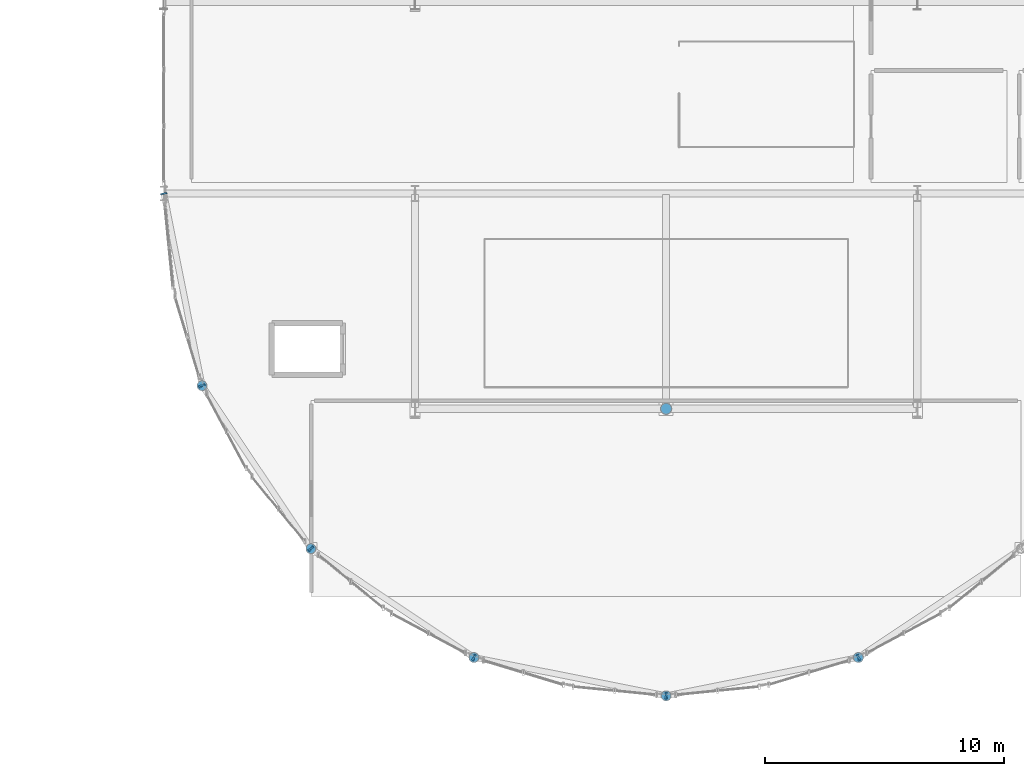
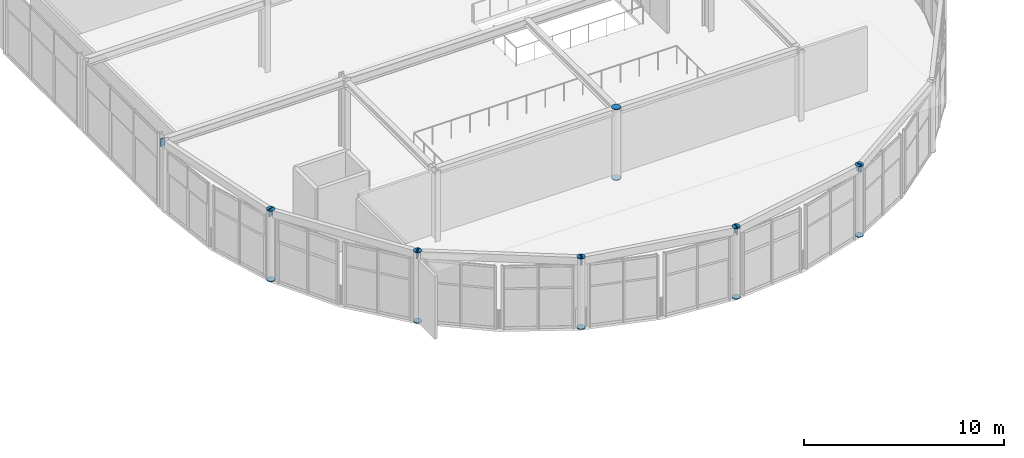
# One storey, part 66 of 105: 23 discrete accessories.
"""IFC4 building model written with IfcOpenShell, lengths in metres."""

import ifcopenshell
import ifcopenshell.guid

model = None  # the IFC model being written
_history = None  # IfcOwnerHistory: only IFC2X3 demands one
_inside = {}  # id of a spatial element -> (the spatial element, [elements in it])
_under = {}  # id of a project, library or spatial element -> (it, [spatial elements below it])
_declared = {}  # id of a project -> (the project, [libraries it declares])
_typed = {}  # id of a type object -> (the type object, [elements of that type])
_made_of = {}  # id of a material, layer set ... -> (it, [elements and type objects made of it])


def new_model(schema):
    """Start an empty IFC model of exactly this schema.

    Asked for "IFC4X3", IfcOpenShell would pick the latest addendum, in which some entities
    have other attributes; the version numbers below select the first issue.
    IFC2X3 requires an IfcOwnerHistory on every rooted entity: one is made here for all.
    """
    global model, _history
    if schema == "IFC4X3":
        model = ifcopenshell.file(schema_version=(4, 3, 0, 0))
    else:
        model = ifcopenshell.file(schema=schema)
    _inside.clear()
    _under.clear()
    _declared.clear()
    _typed.clear()
    _made_of.clear()
    _history = None
    if model.schema == "IFC2X3":
        org = make("IfcOrganization", Name="unknown")
        user = make(
            "IfcPersonAndOrganization",
            ThePerson=make("IfcPerson", FamilyName="unknown"),
            TheOrganization=org,
        )
        app = make(
            "IfcApplication",
            ApplicationDeveloper=org,
            Version="unknown",
            ApplicationFullName="unknown",
            ApplicationIdentifier="unknown",
        )
        _history = make(
            "IfcOwnerHistory",
            OwningUser=user,
            OwningApplication=app,
            ChangeAction="ADDED",
            CreationDate=0,
        )
    return model


def make(cls, **values):
    """One entity of the class cls with the attributes given. An attribute that is None is left unset."""
    return model.create_entity(
        cls, **{name: value for name, value in values.items() if value is not None}
    )


def rooted(cls, **values):
    """An entity with a GlobalId (a new one), such as an element, a storey or a relation."""
    return make(cls, GlobalId=ifcopenshell.guid.new(), OwnerHistory=_history, **values)


def si_unit(unit_type, name, prefix=None):
    """IfcSIUnit, for example si_unit("LENGTHUNIT", "METRE", prefix="MILLI")."""
    return make("IfcSIUnit", UnitType=unit_type, Prefix=prefix, Name=name)


def assignment(units):
    """IfcUnitAssignment: the units of a project."""
    return None if units is None else make("IfcUnitAssignment", Units=units)


def point(xyz):
    """IfcCartesianPoint."""
    return None if xyz is None else make("IfcCartesianPoint", Coordinates=xyz)


def direction(xyz):
    """IfcDirection."""
    return None if xyz is None else make("IfcDirection", DirectionRatios=xyz)


def frame(location, z_axis=None, x_axis=None):
    """IfcAxis2Placement3D, a coordinate frame: its origin and axes. An axis left out is left unset."""
    return make(
        "IfcAxis2Placement3D",
        Location=point(location),
        Axis=direction(z_axis),
        RefDirection=direction(x_axis),
    )


def frame_2d(location, x_axis=None):
    """IfcAxis2Placement2D, a coordinate frame in the plane: its origin and x axis."""
    return make(
        "IfcAxis2Placement2D", Location=point(location), RefDirection=direction(x_axis)
    )


def origin():
    """The frame at (0, 0, 0) with its axes left unset."""
    return frame((0.0, 0.0, 0.0))


def origin_2d():
    """The frame at (0, 0) in the plane with its x axis left unset."""
    return frame_2d((0.0, 0.0))


def place(relative_to, where):
    """IfcLocalPlacement: puts the frame where relative to a parent placement (None: the world)."""
    return make(
        "IfcLocalPlacement", PlacementRelTo=relative_to, RelativePlacement=where
    )


def context(
    kind, dimensions, precision=None, world=None, true_north=None, identifier=None
):
    """IfcGeometricRepresentationContext, for example the 3D "Model" context."""
    return make(
        "IfcGeometricRepresentationContext",
        ContextIdentifier=identifier,
        ContextType=kind,
        CoordinateSpaceDimension=dimensions,
        Precision=precision,
        WorldCoordinateSystem=world,
        TrueNorth=true_north,
    )


def subcontext(parent, identifier, kind, view, scale=None):
    """IfcGeometricRepresentationSubContext, for example "Body" below "Model"."""
    return make(
        "IfcGeometricRepresentationSubContext",
        ContextIdentifier=identifier,
        ContextType=kind,
        ParentContext=parent,
        TargetScale=scale,
        TargetView=view,
    )


def project(units=None, contexts=None):
    """IfcProject with its units and contexts."""
    return rooted(
        "IfcProject",
        Name="project",
        RepresentationContexts=contexts,
        UnitsInContext=assignment(units),
    )


def spatial(cls, under=None, at=None, **own):
    """A site, building, storey or space (cls), placed at a placement, below another one or the project."""
    s = rooted(cls, ObjectPlacement=at, **own)
    if under is not None:
        _under.setdefault(under.id(), (under, []))[1].append(s)
    return s


def profile(cls, at=None, kind="AREA", **sizes):
    """A parametric profile (cls). Its sizes go by their IFC names, for example OverallWidth=200.0."""
    return make(cls, ProfileType=kind, Position=at, **sizes)


def rectangle(**sizes):
    """IfcRectangleProfileDef."""
    return profile("IfcRectangleProfileDef", **sizes)


def circle(**sizes):
    """IfcCircleProfileDef."""
    return profile("IfcCircleProfileDef", **sizes)


def extrude(swept, where, along, depth):
    """IfcExtrudedAreaSolid: the profile swept, set in the frame where, extruded along a direction by depth."""
    return make(
        "IfcExtrudedAreaSolid",
        SweptArea=swept,
        Position=where,
        ExtrudedDirection=direction(along),
        Depth=depth,
    )


def shape(context_of_items, identifier, shape_type, items):
    """IfcShapeRepresentation: the items that make up one representation, for example the "Body"."""
    return make(
        "IfcShapeRepresentation",
        ContextOfItems=context_of_items,
        RepresentationIdentifier=identifier,
        RepresentationType=shape_type,
        Items=items,
    )


def material(Name=None, Category=None):
    """IfcMaterial."""
    return make("IfcMaterial", Name=Name, Category=Category)


def made_of(thing, what):
    """Note that an element or type object is made of a material, layer set ...; save() writes the relation."""
    if what is not None:
        _made_of.setdefault(what.id(), (what, []))[1].append(thing)
    return thing


def element(
    cls,
    number,
    at=None,
    inside=None,
    cuts=None,
    type_object=None,
    material=None,
    context=None,
    identifier="Body",
    shape_type=None,
    held_by="IfcProductDefinitionShape",
    body=None,
    shapes=None,
    **own,
):
    """One element of the class cls, such as IfcWall. Its Tag is "e" and its number.

    at: its placement. inside: the storey or other place that contains it. cuts: it is an
    opening in that element (IfcRelVoidsElement). A single representation is given by context,
    identifier, shape_type and body (its items); several are given by shapes. held_by: the class
    of the entity that holds the representations. save() writes the other relations.
    """
    e = rooted(cls, Tag="e%d" % number, ObjectPlacement=at, **own)
    if body is not None:
        shapes = [shape(context, identifier, shape_type, body)]
    if shapes is not None:
        e.Representation = make(held_by, Representations=shapes)
    if inside is not None:
        _inside.setdefault(inside.id(), (inside, []))[1].append(e)
    if cuts is not None:
        rooted(
            "IfcRelVoidsElement", RelatingBuildingElement=cuts, RelatedOpeningElement=e
        )
    if type_object is not None:
        _typed.setdefault(type_object.id(), (type_object, []))[1].append(e)
    return made_of(e, material)


def aggregate(whole, parts):
    """IfcRelAggregates: a whole, such as a stair, and the parts it consists of."""
    return rooted("IfcRelAggregates", RelatingObject=whole, RelatedObjects=parts)


def save(model, path):
    """Write the relations noted so far, then the file.

    IfcRelAggregates (storeys below a building ...), IfcRelContainedInSpatialStructure (elements
    in a storey), IfcRelDefinesByType, IfcRelAssociatesMaterial and IfcRelDeclares: one each for
    every whole, place, type object, material and project.
    """
    for whole, parts in _under.values():
        aggregate(whole, parts)
    for where, things in _inside.values():
        rooted(
            "IfcRelContainedInSpatialStructure",
            RelatedElements=things,
            RelatingStructure=where,
        )
    for kind, things in _typed.values():
        rooted("IfcRelDefinesByType", RelatedObjects=things, RelatingType=kind)
    for what, things in _made_of.values():
        rooted("IfcRelAssociatesMaterial", RelatedObjects=things, RelatingMaterial=what)
    for by, libraries in _declared.values():
        rooted("IfcRelDeclares", RelatingContext=by, RelatedDefinitions=libraries)
    model.write(path)


model = new_model("IFC4")

# Units and contexts
model_context = context("Model", 3, precision=1e-05, world=origin(), true_north=direction((0.0, 1.0)))
body_context = subcontext(model_context, "Body", "Model", "MODEL_VIEW")
ifc_project = project(units=[si_unit("LENGTHUNIT", "METRE"), si_unit("AREAUNIT", "SQUARE_METRE"), si_unit("VOLUMEUNIT", "CUBIC_METRE"), si_unit("PLANEANGLEUNIT", "RADIAN"), si_unit("MASSUNIT", "GRAM", prefix="KILO")], contexts=[model_context])

# Site, building, storey
site_placement = place(None, origin())
site = spatial("IfcSite", under=ifc_project, at=site_placement, CompositionType="ELEMENT")
building_placement = place(site_placement, origin())
building = spatial("IfcBuilding", under=site, at=building_placement, Name="Marlcrest Central Station", CompositionType="ELEMENT")
storey_placement = place(building_placement, frame((0.0, 0.0, 15.0)))
storey = spatial("IfcBuildingStorey", under=building, at=storey_placement, Name="L03", CompositionType="ELEMENT", Elevation=15.0)

# Discrete accessories
ifc_material = material(Name="Steel S355", Category="steel")
for number, where, z_axis, x_axis, name in (
    (1, (88.59912109375, 14.464111328125, -0.014892578125), (0.0, 0.0, 1.0), (1.0, 0.0, 0.0), "endcap-col-SC-10-L03-0790-s"),
    (2, (88.59912109375, 14.464111328125, 4.28515625), (0.0, 0.0, 1.0), (1.0, 0.0, 0.0), "endcap-col-SC-10-L03-0790-e"),
    (3, (93.15087890625, 7.65087890625, -0.014892578125), (0.0, 0.0, 1.0), (1.0, 0.0, 0.0), "endcap-col-SC-10-L03-0794-s"),
    (4, (93.15087890625, 7.65087890625, 4.28515625), (0.0, 0.0, 1.0), (1.0, 0.0, 0.0), "endcap-col-SC-10-L03-0794-e"),
    (5, (99.964111328125, 3.09912109375, -0.014892578125), (0.0, 0.0, 1.0), (1.0, 0.0, 0.0), "endcap-col-SC-10-L03-0798-s"),
    (6, (99.964111328125, 3.09912109375, 4.28515625), (0.0, 0.0, 1.0), (1.0, 0.0, 0.0), "endcap-col-SC-10-L03-0798-e"),
    (7, (108.0, 1.5, -0.014892578125), (0.0, 0.0, 1.0), (1.0, 0.0, 0.0), "endcap-col-SC-10-L03-0802-s"),
    (8, (108.0, 1.5, 4.28515625), (0.0, 0.0, 1.0), (1.0, 0.0, 0.0), "endcap-col-SC-10-L03-0802-e"),
    (9, (116.035888671875, 3.09912109375, -0.014892578125), (0.0, 0.0, 1.0), (1.0, 0.0, 0.0), "endcap-col-SC-10-L03-0806-s"),
    (10, (116.035888671875, 3.09912109375, 4.28515625), (0.0, 0.0, 1.0), (1.0, 0.0, 0.0), "endcap-col-SC-10-L03-0806-e"),
):
    element("IfcDiscreteAccessory", number, at=place(storey_placement, frame(where, z_axis=z_axis, x_axis=x_axis)), inside=storey, material=ifc_material, Name=name, ObjectType="END_CAP_PLATE", PredefinedType="BRACKET", context=body_context, shape_type="SweptSolid", body=[
        extrude(circle(Radius=0.211181640625, at=origin_2d()), origin(), (0.0, 0.0, 1.0), 0.0400390625),
    ])
for number, where, z_axis, x_axis, name in (
    (11, (108.0, 13.5, -0.014892578125), (0.0, 0.0, 1.0), (1.0, 0.0, 0.0), "endcap-col-SC-11-L03-0822-s"),
    (12, (108.0, 13.5, 4.300048828125), (0.0, 0.0, 1.0), (1.0, 0.0, 0.0), "endcap-col-SC-11-L03-0822-e"),
):
    element("IfcDiscreteAccessory", number, at=place(storey_placement, frame(where, z_axis=z_axis, x_axis=x_axis)), inside=storey, material=ifc_material, Name=name, ObjectType="END_CAP_PLATE", PredefinedType="BRACKET", context=body_context, shape_type="SweptSolid", body=[
        extrude(circle(Radius=0.236572265625, at=origin_2d()), origin(), (0.0, 0.0, 1.0), 0.0400390625),
    ])
for number, where, z_axis, x_axis, name in (
    (13, (86.9970703125, 22.5146484375, 4.10009765625), (0.19517056122, -0.980769316421, 0.0), (0.980769316421, 0.19517056122, 0.0), "endcap-bm-SP-02-L03-01405-s"),
    (14, (88.59423828125, 14.488525390625, 4.10009765625), (0.19517056122, -0.980769316421, 0.0), (0.980769316421, 0.19517056122, 0.0), "endcap-bm-SP-02-L03-01405-e"),
    (15, (88.5908203125, 14.4765625, 4.10009765625), (0.55551129271, -0.831508991937, 0.0), (0.831508991937, 0.55551129271, 0.0), "endcap-bm-SP-02-L03-01406-s"),
    (16, (93.136962890625, 7.671630859375, 4.10009765625), (0.55551129271, -0.831508991937, 0.0), (0.831508991937, 0.55551129271, 0.0), "endcap-bm-SP-02-L03-01406-e"),
    (17, (93.138427734375, 7.6591796875, 4.10009765625), (0.831508991937, -0.55551129271, 0.0), (0.55551129271, 0.831508991937, 0.0), "endcap-bm-SP-02-L03-01407-s"),
    (18, (99.943359375, 3.113037109375, 4.10009765625), (0.831508991937, -0.55551129271, 0.0), (0.55551129271, 0.831508991937, 0.0), "endcap-bm-SP-02-L03-01407-e"),
    (19, (99.949462890625, 3.10205078125, 4.10009765625), (0.980769316421, -0.19517056122, 0.0), (0.19517056122, 0.980769316421, 0.0), "endcap-bm-SP-02-L03-01408-s"),
    (20, (107.9755859375, 1.5048828125, 4.10009765625), (0.980769316421, -0.19517056122, 0.0), (0.19517056122, 0.980769316421, 0.0), "endcap-bm-SP-02-L03-01408-e"),
    (21, (107.9853515625, 1.4970703125, 4.10009765625), (0.980769316421, 0.19517056122, 0.0), (-0.19517056122, 0.980769316421, 0.0), "endcap-bm-SP-02-L03-01409-s"),
    (22, (116.011474609375, 3.09423828125, 4.10009765625), (0.980769316421, 0.19517056122, 0.0), (-0.19517056122, 0.980769316421, 0.0), "endcap-bm-SP-02-L03-01409-e"),
    (23, (116.0234375, 3.0908203125, 4.10009765625), (0.831508991937, 0.55551129271, 0.0), (-0.55551129271, 0.831508991937, 0.0), "endcap-bm-SP-02-L03-01410-s"),
):
    element("IfcDiscreteAccessory", number, at=place(storey_placement, frame(where, z_axis=z_axis, x_axis=x_axis)), inside=storey, material=ifc_material, Name=name, ObjectType="END_CAP_PLATE", PredefinedType="BRACKET", context=body_context, shape_type="SweptSolid", body=[
        extrude(rectangle(XDim=0.26611328125, YDim=0.466064453125, at=origin_2d()), origin(), (0.0, 0.0, 1.0), 0.0400390625),
    ])

save(model, "model.ifc")
